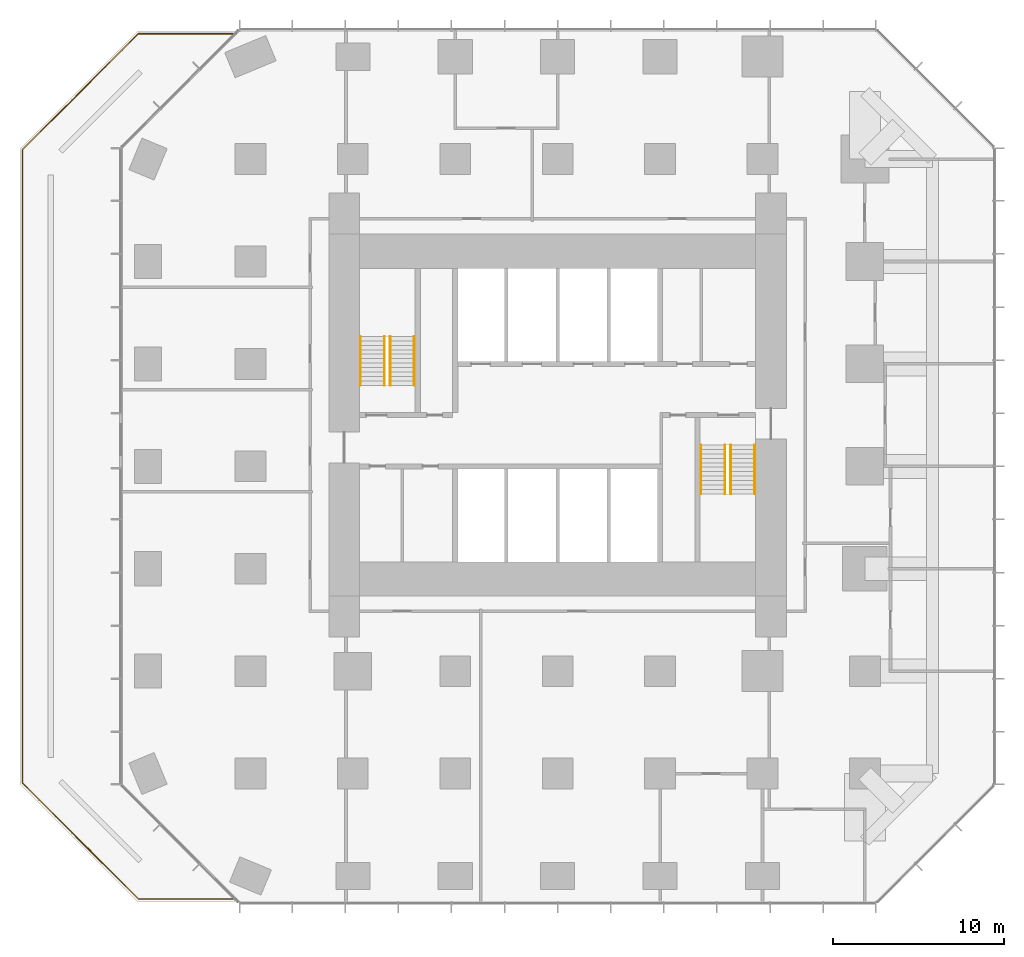
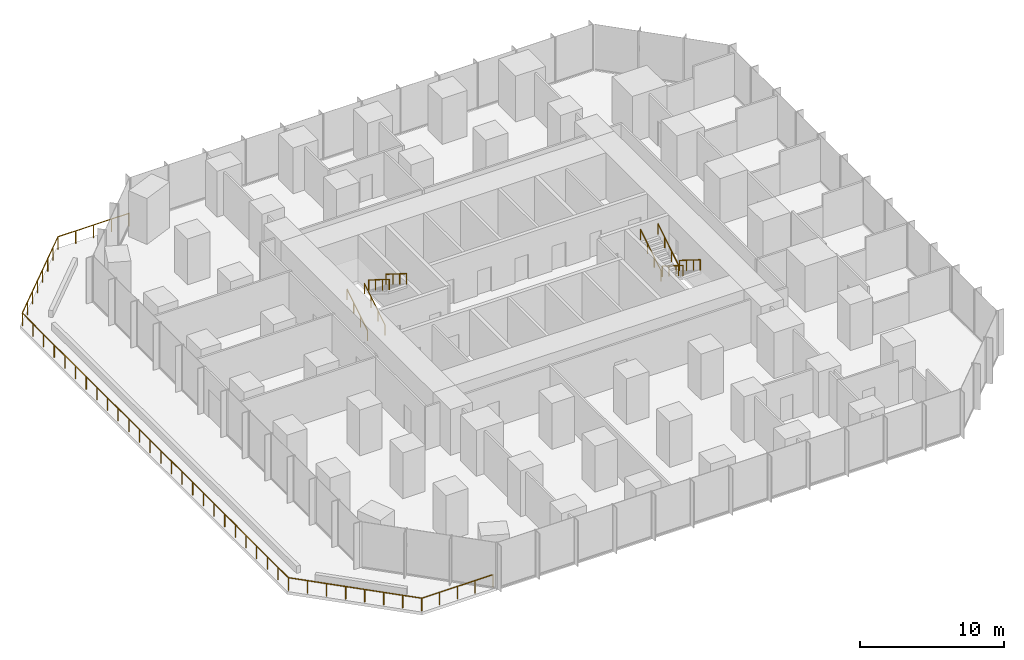
# One storey, part 12 of 12: 9 railings.
"""IFC4 building model written with IfcOpenShell, lengths in metres."""

from ifc_helpers import new_model, si_unit, direction, frame, origin, origin_2d, place, context, subcontext, project, spatial, circle, extrude, material, type_object, element, save


model = new_model("IFC4")

# Units and contexts
model_context = context("Model", 3, precision=1e-05, world=origin(), true_north=direction((0.0, 1.0)))
body_context = subcontext(model_context, "Body", "Model", "MODEL_VIEW")
ifc_project = project(units=[si_unit("LENGTHUNIT", "METRE"), si_unit("AREAUNIT", "SQUARE_METRE"), si_unit("VOLUMEUNIT", "CUBIC_METRE"), si_unit("PLANEANGLEUNIT", "RADIAN"), si_unit("MASSUNIT", "GRAM", prefix="KILO")], contexts=[model_context])

# Site, building, storey
site_placement = place(None, origin())
site = spatial("IfcSite", under=ifc_project, at=site_placement, CompositionType="ELEMENT")
building_placement = place(site_placement, origin())
building = spatial("IfcBuilding", under=site, at=building_placement, Name="Highveld Stack Headquarters", CompositionType="ELEMENT")
storey_placement = place(building_placement, frame((0.0, 0.0, 41.60009765625)))
storey = spatial("IfcBuildingStorey", under=building, at=storey_placement, Name="L09", CompositionType="ELEMENT", Elevation=41.60009765625)

# Railings
ifc_material_1 = material(Name="Stainless steel handrail", Category="steel")
railing_type_1 = type_object("IfcRailingType", Name="STAIR HANDRAIL HR1 900", PredefinedType="HANDRAIL", material=ifc_material_1)
for number, where, name in (
    (1, (-5.550048828125, 4.75, 0.162353515625), "Handrail S1 L09 flight 1"),
    (2, (-4.14990234375, 4.75, 0.162353515625), "Handrail S1 L09 flight 1"),
):
    element("IfcRailing", number, at=place(storey_placement, frame(where)), inside=storey, type_object=railing_type_1, Name=name, PredefinedType="HANDRAIL", context=body_context, shape_type="SweptSolid", body=[
        extrude(circle(Radius=0.02392578125, at=origin_2d()), frame((0.0, 0.0, 0.8759765625), z_axis=(0.0, 0.847994237388, 0.530005446535), x_axis=(-1.0, 0.0, 0.0)), (0.0, 0.0, 1.0), 3.372802734375),
        extrude(circle(Radius=0.02099609375, at=origin_2d()), origin(), (0.0, 0.0, 1.0), 0.851806640625),
        extrude(circle(Radius=0.02099609375, at=origin_2d()), frame((0.0, 0.953369140625, 0.595947265625)), (0.0, 0.0, 1.0), 0.851806640625),
        extrude(circle(Radius=0.02099609375, at=origin_2d()), frame((0.0, 1.90673828125, 1.191650390625)), (0.0, 0.0, 1.0), 0.851806640625),
        extrude(circle(Radius=0.02099609375, at=origin_2d()), frame((0.0, 2.860107421875, 1.78759765625)), (0.0, 0.0, 1.0), 0.851806640625),
    ])
for number, where, name in (
    (3, (-3.800048828125, 7.610107421875, 2.1123046875), "Handrail S1 L09 flight 2"),
    (4, (-2.39990234375, 7.610107421875, 2.1123046875), "Handrail S1 L09 flight 2"),
    (5, (16.14990234375, 1.25, 0.162353515625), "Handrail S2 L09 flight 1"),
    (6, (17.550048828125, 1.25, 0.162353515625), "Handrail S2 L09 flight 1"),
):
    element("IfcRailing", number, at=place(storey_placement, frame(where)), inside=storey, type_object=railing_type_1, Name=name, PredefinedType="HANDRAIL", context=body_context, shape_type="SweptSolid", body=[
        extrude(circle(Radius=0.02392578125, at=origin_2d()), frame((0.0, 0.0, 0.8759765625), z_axis=(0.0, -0.847994237388, 0.530005446535), x_axis=(1.0, 0.0, 0.0)), (0.0, 0.0, 1.0), 3.372802734375),
        extrude(circle(Radius=0.02099609375, at=origin_2d()), origin(), (0.0, 0.0, 1.0), 0.851806640625),
        extrude(circle(Radius=0.02099609375, at=origin_2d()), frame((0.0, -0.953369140625, 0.595947265625)), (0.0, 0.0, 1.0), 0.851806640625),
        extrude(circle(Radius=0.02099609375, at=origin_2d()), frame((0.0, -1.90673828125, 1.191650390625)), (0.0, 0.0, 1.0), 0.851806640625),
        extrude(circle(Radius=0.02099609375, at=origin_2d()), frame((0.0, -2.860107421875, 1.78759765625)), (0.0, 0.0, 1.0), 0.851806640625),
    ])
for number, where, name in (
    (7, (14.39990234375, -1.610107421875, 2.1123046875), "Handrail S2 L09 flight 2"),
    (8, (15.800048828125, -1.610107421875, 2.1123046875), "Handrail S2 L09 flight 2"),
):
    element("IfcRailing", number, at=place(storey_placement, frame(where)), inside=storey, type_object=railing_type_1, Name=name, PredefinedType="HANDRAIL", context=body_context, shape_type="SweptSolid", body=[
        extrude(circle(Radius=0.02392578125, at=origin_2d()), frame((0.0, 0.0, 0.8759765625), z_axis=(0.0, 0.847994237388, 0.530005446535), x_axis=(-1.0, 0.0, 0.0)), (0.0, 0.0, 1.0), 3.372802734375),
        extrude(circle(Radius=0.02099609375, at=origin_2d()), origin(), (0.0, 0.0, 1.0), 0.851806640625),
        extrude(circle(Radius=0.02099609375, at=origin_2d()), frame((0.0, 0.953369140625, 0.595947265625)), (0.0, 0.0, 1.0), 0.851806640625),
        extrude(circle(Radius=0.02099609375, at=origin_2d()), frame((0.0, 1.90673828125, 1.191650390625)), (0.0, 0.0, 1.0), 0.851806640625),
        extrude(circle(Radius=0.02099609375, at=origin_2d()), frame((0.0, 2.860107421875, 1.78759765625)), (0.0, 0.0, 1.0), 0.851806640625),
    ])
ifc_material_2 = material(Name="Laminated glass balustrade with bronze handrail", Category="glass")
railing_type_2 = type_object("IfcRailingType", Name="TERRACE GUARD GR1 1100 GLASS", PredefinedType="GUARDRAIL", material=ifc_material_2)
railing_placement = place(storey_placement, frame((-12.83349609375, -25.35009765625, 0.0)))
element("IfcRailing", 9, at=railing_placement, inside=storey, type_object=railing_type_2, Name="Terrace guard L09 1", PredefinedType="GUARDRAIL", context=body_context, shape_type="SweptSolid", body=[
    extrude(circle(Radius=0.02392578125, at=origin_2d()), frame((0.0, 0.0, 1.076171875), z_axis=(-1.0, 0.0, 0.0), x_axis=(0.0, -1.0, 0.0)), (0.0, 0.0, 1.0), 5.7255859375),
    extrude(circle(Radius=0.02392578125, at=origin_2d()), frame((-5.7255859375, 0.0, 1.076171875), z_axis=(-0.707106781187, 0.707106781187, 0.0), x_axis=(-0.707106781187, -0.707106781187, 0.0)), (0.0, 0.0, 1.0), 9.60400390625),
    extrude(circle(Radius=0.02392578125, at=origin_2d()), frame((-12.5166015625, 6.791015625, 1.076171875), z_axis=(0.0, 1.0, 0.0), x_axis=(-1.0, 0.0, 0.0)), (0.0, 0.0, 1.0), 37.1181640625),
    extrude(circle(Radius=0.02392578125, at=origin_2d()), frame((-12.5166015625, 43.9091796875, 1.076171875), z_axis=(0.707106781187, 0.707106781187, 0.0), x_axis=(-0.707106781187, 0.707106781187, 0.0)), (0.0, 0.0, 1.0), 9.60400390625),
    extrude(circle(Radius=0.02392578125, at=origin_2d()), frame((-5.7255859375, 50.7001953125, 1.076171875), z_axis=(1.0, 0.0, 0.0), x_axis=(0.0, 1.0, 0.0)), (0.0, 0.0, 1.0), 5.7255859375),
    extrude(circle(Radius=0.02099609375, at=origin_2d()), origin(), (0.0, 0.0, 1.0), 1.052001953125),
    extrude(circle(Radius=0.02099609375, at=origin_2d()), frame((-1.431396484375, 0.0, 0.0)), (0.0, 0.0, 1.0), 1.052001953125),
    extrude(circle(Radius=0.02099609375, at=origin_2d()), frame((-2.86279296875, 0.0, 0.0)), (0.0, 0.0, 1.0), 1.052001953125),
    extrude(circle(Radius=0.02099609375, at=origin_2d()), frame((-4.294189453125, 0.0, 0.0)), (0.0, 0.0, 1.0), 1.052001953125),
    extrude(circle(Radius=0.02099609375, at=origin_2d()), frame((-5.7255859375, 0.0, 0.0)), (0.0, 0.0, 1.0), 1.052001953125),
    extrude(circle(Radius=0.02099609375, at=origin_2d()), frame((-6.69580078125, 0.97021484375, 0.0)), (0.0, 0.0, 1.0), 1.052001953125),
    extrude(circle(Radius=0.02099609375, at=origin_2d()), frame((-7.665771484375, 1.940185546875, 0.0)), (0.0, 0.0, 1.0), 1.052001953125),
    extrude(circle(Radius=0.02099609375, at=origin_2d()), frame((-8.635986328125, 2.910400390625, 0.0)), (0.0, 0.0, 1.0), 1.052001953125),
    extrude(circle(Radius=0.02099609375, at=origin_2d()), frame((-9.606201171875, 3.880615234375, 0.0)), (0.0, 0.0, 1.0), 1.052001953125),
    extrude(circle(Radius=0.02099609375, at=origin_2d()), frame((-10.576416015625, 4.850830078125, 0.0)), (0.0, 0.0, 1.0), 1.052001953125),
    extrude(circle(Radius=0.02099609375, at=origin_2d()), frame((-11.54638671875, 5.82080078125, 0.0)), (0.0, 0.0, 1.0), 1.052001953125),
    extrude(circle(Radius=0.02099609375, at=origin_2d()), frame((-12.5166015625, 6.791015625, 0.0)), (0.0, 0.0, 1.0), 1.052001953125),
    extrude(circle(Radius=0.02099609375, at=origin_2d()), frame((-12.5166015625, 8.275634765625, 0.0)), (0.0, 0.0, 1.0), 1.052001953125),
    extrude(circle(Radius=0.02099609375, at=origin_2d()), frame((-12.5166015625, 9.760498046875, 0.0)), (0.0, 0.0, 1.0), 1.052001953125),
    extrude(circle(Radius=0.02099609375, at=origin_2d()), frame((-12.5166015625, 11.2451171875, 0.0)), (0.0, 0.0, 1.0), 1.052001953125),
    extrude(circle(Radius=0.02099609375, at=origin_2d()), frame((-12.5166015625, 12.72998046875, 0.0)), (0.0, 0.0, 1.0), 1.052001953125),
    extrude(circle(Radius=0.02099609375, at=origin_2d()), frame((-12.5166015625, 14.214599609375, 0.0)), (0.0, 0.0, 1.0), 1.052001953125),
    extrude(circle(Radius=0.02099609375, at=origin_2d()), frame((-12.5166015625, 15.699462890625, 0.0)), (0.0, 0.0, 1.0), 1.052001953125),
    extrude(circle(Radius=0.02099609375, at=origin_2d()), frame((-12.5166015625, 17.18408203125, 0.0)), (0.0, 0.0, 1.0), 1.052001953125),
    extrude(circle(Radius=0.02099609375, at=origin_2d()), frame((-12.5166015625, 18.6689453125, 0.0)), (0.0, 0.0, 1.0), 1.052001953125),
    extrude(circle(Radius=0.02099609375, at=origin_2d()), frame((-12.5166015625, 20.153564453125, 0.0)), (0.0, 0.0, 1.0), 1.052001953125),
    extrude(circle(Radius=0.02099609375, at=origin_2d()), frame((-12.5166015625, 21.63818359375, 0.0)), (0.0, 0.0, 1.0), 1.052001953125),
    extrude(circle(Radius=0.02099609375, at=origin_2d()), frame((-12.5166015625, 23.123046875, 0.0)), (0.0, 0.0, 1.0), 1.052001953125),
    extrude(circle(Radius=0.02099609375, at=origin_2d()), frame((-12.5166015625, 24.607666015625, 0.0)), (0.0, 0.0, 1.0), 1.052001953125),
    extrude(circle(Radius=0.02099609375, at=origin_2d()), frame((-12.5166015625, 26.092529296875, 0.0)), (0.0, 0.0, 1.0), 1.052001953125),
    extrude(circle(Radius=0.02099609375, at=origin_2d()), frame((-12.5166015625, 27.5771484375, 0.0)), (0.0, 0.0, 1.0), 1.052001953125),
    extrude(circle(Radius=0.02099609375, at=origin_2d()), frame((-12.5166015625, 29.06201171875, 0.0)), (0.0, 0.0, 1.0), 1.052001953125),
    extrude(circle(Radius=0.02099609375, at=origin_2d()), frame((-12.5166015625, 30.546630859375, 0.0)), (0.0, 0.0, 1.0), 1.052001953125),
    extrude(circle(Radius=0.02099609375, at=origin_2d()), frame((-12.5166015625, 32.03125, 0.0)), (0.0, 0.0, 1.0), 1.052001953125),
    extrude(circle(Radius=0.02099609375, at=origin_2d()), frame((-12.5166015625, 33.51611328125, 0.0)), (0.0, 0.0, 1.0), 1.052001953125),
    extrude(circle(Radius=0.02099609375, at=origin_2d()), frame((-12.5166015625, 35.000732421875, 0.0)), (0.0, 0.0, 1.0), 1.052001953125),
    extrude(circle(Radius=0.02099609375, at=origin_2d()), frame((-12.5166015625, 36.485595703125, 0.0)), (0.0, 0.0, 1.0), 1.052001953125),
    extrude(circle(Radius=0.02099609375, at=origin_2d()), frame((-12.5166015625, 37.97021484375, 0.0)), (0.0, 0.0, 1.0), 1.052001953125),
    extrude(circle(Radius=0.02099609375, at=origin_2d()), frame((-12.5166015625, 39.455078125, 0.0)), (0.0, 0.0, 1.0), 1.052001953125),
    extrude(circle(Radius=0.02099609375, at=origin_2d()), frame((-12.5166015625, 40.939697265625, 0.0)), (0.0, 0.0, 1.0), 1.052001953125),
    extrude(circle(Radius=0.02099609375, at=origin_2d()), frame((-12.5166015625, 42.424560546875, 0.0)), (0.0, 0.0, 1.0), 1.052001953125),
    extrude(circle(Radius=0.02099609375, at=origin_2d()), frame((-12.5166015625, 43.9091796875, 0.0)), (0.0, 0.0, 1.0), 1.052001953125),
    extrude(circle(Radius=0.02099609375, at=origin_2d()), frame((-11.54638671875, 44.87939453125, 0.0)), (0.0, 0.0, 1.0), 1.052001953125),
    extrude(circle(Radius=0.02099609375, at=origin_2d()), frame((-10.576416015625, 45.849365234375, 0.0)), (0.0, 0.0, 1.0), 1.052001953125),
    extrude(circle(Radius=0.02099609375, at=origin_2d()), frame((-9.606201171875, 46.819580078125, 0.0)), (0.0, 0.0, 1.0), 1.052001953125),
    extrude(circle(Radius=0.02099609375, at=origin_2d()), frame((-8.635986328125, 47.789794921875, 0.0)), (0.0, 0.0, 1.0), 1.052001953125),
    extrude(circle(Radius=0.02099609375, at=origin_2d()), frame((-7.665771484375, 48.760009765625, 0.0)), (0.0, 0.0, 1.0), 1.052001953125),
    extrude(circle(Radius=0.02099609375, at=origin_2d()), frame((-6.69580078125, 49.72998046875, 0.0)), (0.0, 0.0, 1.0), 1.052001953125),
    extrude(circle(Radius=0.02099609375, at=origin_2d()), frame((-5.7255859375, 50.7001953125, 0.0)), (0.0, 0.0, 1.0), 1.052001953125),
    extrude(circle(Radius=0.02099609375, at=origin_2d()), frame((-4.294189453125, 50.7001953125, 0.0)), (0.0, 0.0, 1.0), 1.052001953125),
    extrude(circle(Radius=0.02099609375, at=origin_2d()), frame((-2.86279296875, 50.7001953125, 0.0)), (0.0, 0.0, 1.0), 1.052001953125),
    extrude(circle(Radius=0.02099609375, at=origin_2d()), frame((-1.431396484375, 50.7001953125, 0.0)), (0.0, 0.0, 1.0), 1.052001953125),
    extrude(circle(Radius=0.02099609375, at=origin_2d()), frame((0.0, 50.7001953125, 0.0)), (0.0, 0.0, 1.0), 1.052001953125),
])

save(model, "model.ifc")
